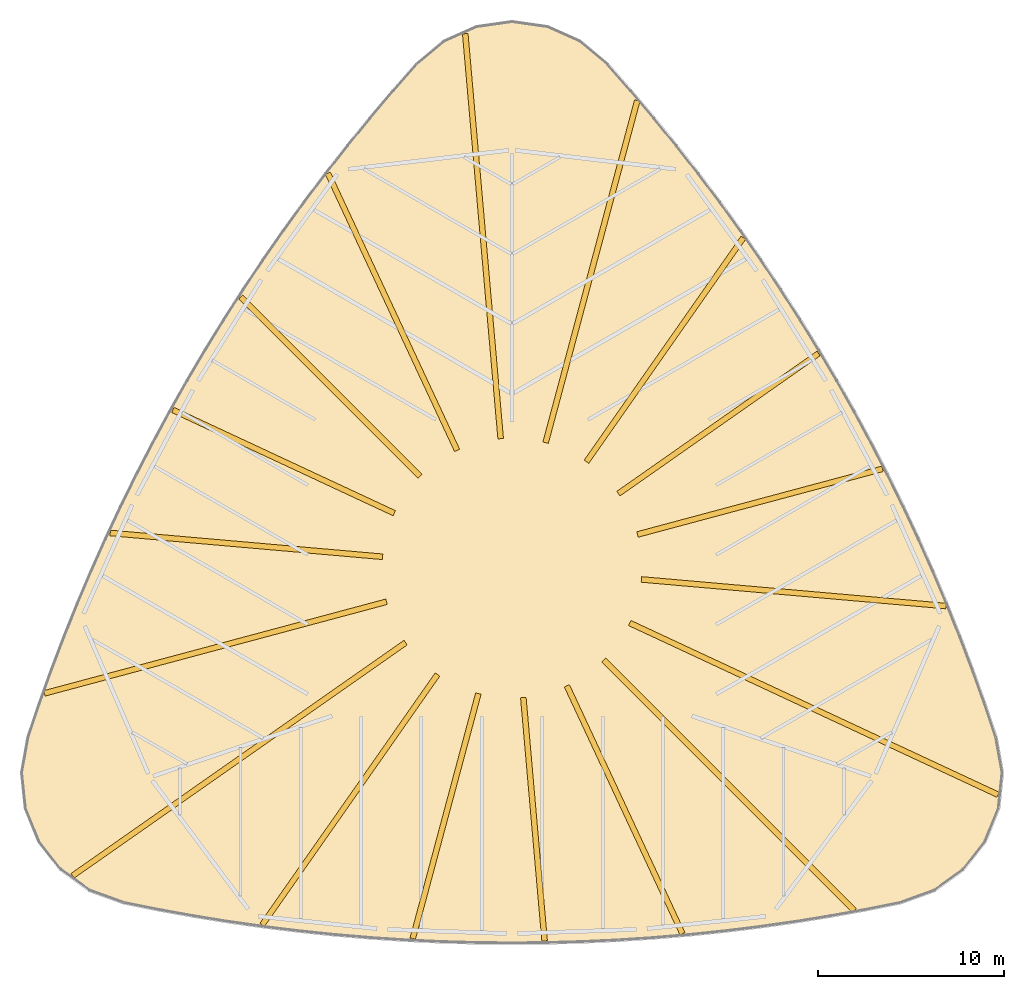
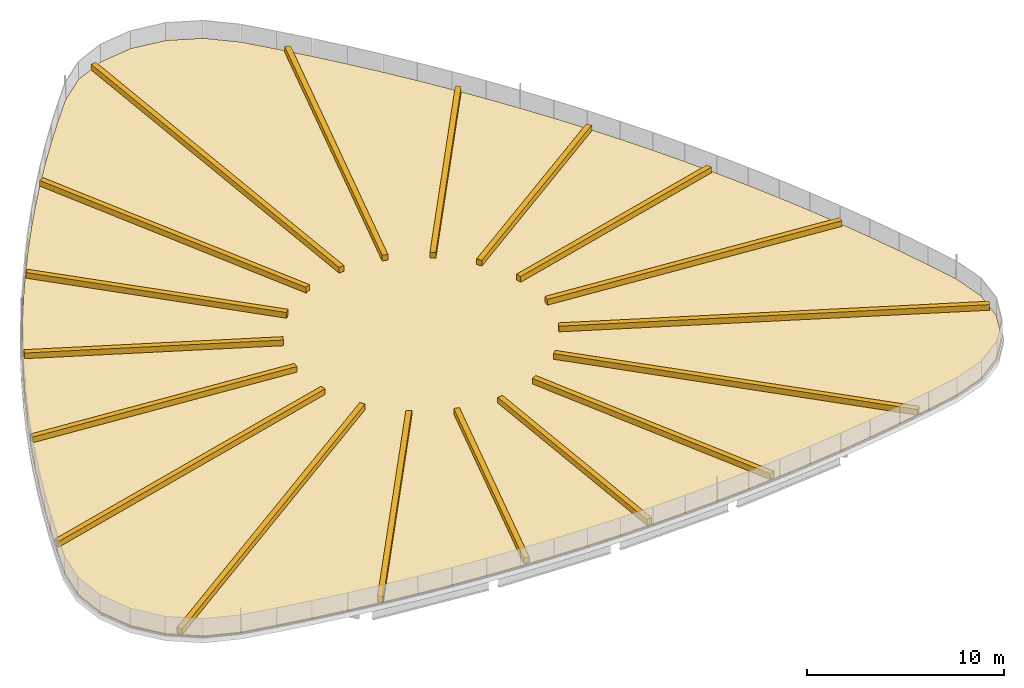
# One storey, part 9 of 9: 19 coverings.
"""IFC4 building model written with IfcOpenShell, lengths in metres."""

import ifcopenshell
import ifcopenshell.guid

model = None  # the IFC model being written
_history = None  # IfcOwnerHistory: only IFC2X3 demands one
_inside = {}  # id of a spatial element -> (the spatial element, [elements in it])
_under = {}  # id of a project, library or spatial element -> (it, [spatial elements below it])
_declared = {}  # id of a project -> (the project, [libraries it declares])
_typed = {}  # id of a type object -> (the type object, [elements of that type])
_made_of = {}  # id of a material, layer set ... -> (it, [elements and type objects made of it])


def new_model(schema):
    """Start an empty IFC model of exactly this schema.

    Asked for "IFC4X3", IfcOpenShell would pick the latest addendum, in which some entities
    have other attributes; the version numbers below select the first issue.
    IFC2X3 requires an IfcOwnerHistory on every rooted entity: one is made here for all.
    """
    global model, _history
    if schema == "IFC4X3":
        model = ifcopenshell.file(schema_version=(4, 3, 0, 0))
    else:
        model = ifcopenshell.file(schema=schema)
    _inside.clear()
    _under.clear()
    _declared.clear()
    _typed.clear()
    _made_of.clear()
    _history = None
    if model.schema == "IFC2X3":
        org = make("IfcOrganization", Name="unknown")
        user = make(
            "IfcPersonAndOrganization",
            ThePerson=make("IfcPerson", FamilyName="unknown"),
            TheOrganization=org,
        )
        app = make(
            "IfcApplication",
            ApplicationDeveloper=org,
            Version="unknown",
            ApplicationFullName="unknown",
            ApplicationIdentifier="unknown",
        )
        _history = make(
            "IfcOwnerHistory",
            OwningUser=user,
            OwningApplication=app,
            ChangeAction="ADDED",
            CreationDate=0,
        )
    return model


def make(cls, **values):
    """One entity of the class cls with the attributes given. An attribute that is None is left unset."""
    return model.create_entity(
        cls, **{name: value for name, value in values.items() if value is not None}
    )


def rooted(cls, **values):
    """An entity with a GlobalId (a new one), such as an element, a storey or a relation."""
    return make(cls, GlobalId=ifcopenshell.guid.new(), OwnerHistory=_history, **values)


def si_unit(unit_type, name, prefix=None):
    """IfcSIUnit, for example si_unit("LENGTHUNIT", "METRE", prefix="MILLI")."""
    return make("IfcSIUnit", UnitType=unit_type, Prefix=prefix, Name=name)


def assignment(units):
    """IfcUnitAssignment: the units of a project."""
    return None if units is None else make("IfcUnitAssignment", Units=units)


def point(xyz):
    """IfcCartesianPoint."""
    return None if xyz is None else make("IfcCartesianPoint", Coordinates=xyz)


def direction(xyz):
    """IfcDirection."""
    return None if xyz is None else make("IfcDirection", DirectionRatios=xyz)


def frame(location, z_axis=None, x_axis=None):
    """IfcAxis2Placement3D, a coordinate frame: its origin and axes. An axis left out is left unset."""
    return make(
        "IfcAxis2Placement3D",
        Location=point(location),
        Axis=direction(z_axis),
        RefDirection=direction(x_axis),
    )


def frame_2d(location, x_axis=None):
    """IfcAxis2Placement2D, a coordinate frame in the plane: its origin and x axis."""
    return make(
        "IfcAxis2Placement2D", Location=point(location), RefDirection=direction(x_axis)
    )


def origin():
    """The frame at (0, 0, 0) with its axes left unset."""
    return frame((0.0, 0.0, 0.0))


def origin_2d():
    """The frame at (0, 0) in the plane with its x axis left unset."""
    return frame_2d((0.0, 0.0))


def place(relative_to, where):
    """IfcLocalPlacement: puts the frame where relative to a parent placement (None: the world)."""
    return make(
        "IfcLocalPlacement", PlacementRelTo=relative_to, RelativePlacement=where
    )


def context(
    kind, dimensions, precision=None, world=None, true_north=None, identifier=None
):
    """IfcGeometricRepresentationContext, for example the 3D "Model" context."""
    return make(
        "IfcGeometricRepresentationContext",
        ContextIdentifier=identifier,
        ContextType=kind,
        CoordinateSpaceDimension=dimensions,
        Precision=precision,
        WorldCoordinateSystem=world,
        TrueNorth=true_north,
    )


def subcontext(parent, identifier, kind, view, scale=None):
    """IfcGeometricRepresentationSubContext, for example "Body" below "Model"."""
    return make(
        "IfcGeometricRepresentationSubContext",
        ContextIdentifier=identifier,
        ContextType=kind,
        ParentContext=parent,
        TargetScale=scale,
        TargetView=view,
    )


def project(units=None, contexts=None):
    """IfcProject with its units and contexts."""
    return rooted(
        "IfcProject",
        Name="project",
        RepresentationContexts=contexts,
        UnitsInContext=assignment(units),
    )


def spatial(cls, under=None, at=None, **own):
    """A site, building, storey or space (cls), placed at a placement, below another one or the project."""
    s = rooted(cls, ObjectPlacement=at, **own)
    if under is not None:
        _under.setdefault(under.id(), (under, []))[1].append(s)
    return s


def polyline(points):
    """IfcPolyline through the points."""
    return make("IfcPolyline", Points=[point(p) for p in points])


def profile(cls, at=None, kind="AREA", **sizes):
    """A parametric profile (cls). Its sizes go by their IFC names, for example OverallWidth=200.0."""
    return make(cls, ProfileType=kind, Position=at, **sizes)


def rectangle(**sizes):
    """IfcRectangleProfileDef."""
    return profile("IfcRectangleProfileDef", **sizes)


def outline(outer, holes=None, kind="AREA"):
    """IfcArbitraryClosedProfileDef: a profile drawn as a closed curve; with holes, ...WithVoids."""
    if holes is None:
        return make("IfcArbitraryClosedProfileDef", ProfileType=kind, OuterCurve=outer)
    return make(
        "IfcArbitraryProfileDefWithVoids",
        ProfileType=kind,
        OuterCurve=outer,
        InnerCurves=holes,
    )


def extrude(swept, where, along, depth):
    """IfcExtrudedAreaSolid: the profile swept, set in the frame where, extruded along a direction by depth."""
    return make(
        "IfcExtrudedAreaSolid",
        SweptArea=swept,
        Position=where,
        ExtrudedDirection=direction(along),
        Depth=depth,
    )


def shape(context_of_items, identifier, shape_type, items):
    """IfcShapeRepresentation: the items that make up one representation, for example the "Body"."""
    return make(
        "IfcShapeRepresentation",
        ContextOfItems=context_of_items,
        RepresentationIdentifier=identifier,
        RepresentationType=shape_type,
        Items=items,
    )


def material(Name=None, Category=None):
    """IfcMaterial."""
    return make("IfcMaterial", Name=Name, Category=Category)


def layer(
    of_material, thickness, ventilated=None, Name=None, Category=None, Priority=None
):
    """IfcMaterialLayer: one layer of a wall or slab, of a material (None: an air gap)."""
    return make(
        "IfcMaterialLayer",
        Material=of_material,
        LayerThickness=thickness,
        IsVentilated=ventilated,
        Name=Name,
        Category=Category,
        Priority=Priority,
    )


def layer_set(layers, Name=None):
    """IfcMaterialLayerSet."""
    return make("IfcMaterialLayerSet", MaterialLayers=layers, LayerSetName=Name)


def made_of(thing, what):
    """Note that an element or type object is made of a material, layer set ...; save() writes the relation."""
    if what is not None:
        _made_of.setdefault(what.id(), (what, []))[1].append(thing)
    return thing


def type_object(cls, material=None, **own):
    """A type object (cls), such as IfcWallType, which elements share."""
    return made_of(rooted(cls, **own), material)


def element(
    cls,
    number,
    at=None,
    inside=None,
    cuts=None,
    type_object=None,
    material=None,
    context=None,
    identifier="Body",
    shape_type=None,
    held_by="IfcProductDefinitionShape",
    body=None,
    shapes=None,
    **own,
):
    """One element of the class cls, such as IfcWall. Its Tag is "e" and its number.

    at: its placement. inside: the storey or other place that contains it. cuts: it is an
    opening in that element (IfcRelVoidsElement). A single representation is given by context,
    identifier, shape_type and body (its items); several are given by shapes. held_by: the class
    of the entity that holds the representations. save() writes the other relations.
    """
    e = rooted(cls, Tag="e%d" % number, ObjectPlacement=at, **own)
    if body is not None:
        shapes = [shape(context, identifier, shape_type, body)]
    if shapes is not None:
        e.Representation = make(held_by, Representations=shapes)
    if inside is not None:
        _inside.setdefault(inside.id(), (inside, []))[1].append(e)
    if cuts is not None:
        rooted(
            "IfcRelVoidsElement", RelatingBuildingElement=cuts, RelatedOpeningElement=e
        )
    if type_object is not None:
        _typed.setdefault(type_object.id(), (type_object, []))[1].append(e)
    return made_of(e, material)


def aggregate(whole, parts):
    """IfcRelAggregates: a whole, such as a stair, and the parts it consists of."""
    return rooted("IfcRelAggregates", RelatingObject=whole, RelatedObjects=parts)


def save(model, path):
    """Write the relations noted so far, then the file.

    IfcRelAggregates (storeys below a building ...), IfcRelContainedInSpatialStructure (elements
    in a storey), IfcRelDefinesByType, IfcRelAssociatesMaterial and IfcRelDeclares: one each for
    every whole, place, type object, material and project.
    """
    for whole, parts in _under.values():
        aggregate(whole, parts)
    for where, things in _inside.values():
        rooted(
            "IfcRelContainedInSpatialStructure",
            RelatedElements=things,
            RelatingStructure=where,
        )
    for kind, things in _typed.values():
        rooted("IfcRelDefinesByType", RelatedObjects=things, RelatingType=kind)
    for what, things in _made_of.values():
        rooted("IfcRelAssociatesMaterial", RelatedObjects=things, RelatingMaterial=what)
    for by, libraries in _declared.values():
        rooted("IfcRelDeclares", RelatingContext=by, RelatedDefinitions=libraries)
    model.write(path)


model = new_model("IFC4")

# Units and contexts
model_context = context("Model", 3, precision=1e-05, world=origin(), true_north=direction((0.0, 1.0)))
body_context = subcontext(model_context, "Body", "Model", "MODEL_VIEW")
ifc_project = project(units=[si_unit("LENGTHUNIT", "METRE"), si_unit("AREAUNIT", "SQUARE_METRE"), si_unit("VOLUMEUNIT", "CUBIC_METRE"), si_unit("PLANEANGLEUNIT", "RADIAN"), si_unit("MASSUNIT", "GRAM", prefix="KILO")], contexts=[model_context])

# Site, building, storey
site_placement = place(None, origin())
site = spatial("IfcSite", under=ifc_project, at=site_placement, CompositionType="ELEMENT")
building_placement = place(site_placement, origin())
building = spatial("IfcBuilding", under=site, at=building_placement, Name="Sierra Prisma Convention Tower", CompositionType="ELEMENT")
storey_placement = place(building_placement, frame((0.0, 0.0, 361.0)))
storey = spatial("IfcBuildingStorey", under=building, at=storey_placement, Name="Roof", CompositionType="ELEMENT", Elevation=361.0)

# Coverings
ifc_material_1 = material(Name="Aluminium composite bronze anodised", Category="aluminium")
ifc_layer_1 = layer(ifc_material_1, 0.300048828125)
ifc_layer_set_1 = layer_set([ifc_layer_1], Name="Canopy rib cladding")
covering_type_1 = type_object("IfcCoveringType", Name="Canopy rib cladding", PredefinedType="CLADDING", material=ifc_layer_set_1)
covering_1_placement = place(storey_placement, frame((13.361083984375, 3.580078125, 0.349853515625), z_axis=(0.0, 0.0, 1.0), x_axis=(0.965925826289, 0.258819045103, 0.0)))
element("IfcCovering", 1, at=covering_1_placement, inside=storey, type_object=covering_type_1, Name="Canopy rib 1", PredefinedType="CLADDING", context=body_context, shape_type="SweptSolid", body=[
    extrude(rectangle(XDim=13.66455078125, YDim=0.300048828125, at=origin_2d()), origin(), (0.0, 0.0, 1.0), 0.35009765625),
])
covering_2_placement = place(storey_placement, frame((11.124267578125, 7.789306640625, 0.349853515625), z_axis=(0.0, 0.0, 1.0), x_axis=(0.819152044289, 0.573576436351, 0.0)))
element("IfcCovering", 2, at=covering_2_placement, inside=storey, type_object=covering_type_1, Name="Canopy rib 2", PredefinedType="CLADDING", context=body_context, shape_type="SweptSolid", body=[
    extrude(rectangle(XDim=13.16064453125, YDim=0.300048828125, at=origin_2d()), origin(), (0.0, 0.0, 1.0), 0.35009765625),
])
covering_3_placement = place(storey_placement, frame((8.239013671875, 11.7666015625, 0.349853515625), z_axis=(0.0, 0.0, 1.0), x_axis=(0.573576436351, 0.819152044289, 0.0)))
element("IfcCovering", 3, at=covering_3_placement, inside=storey, type_object=covering_type_1, Name="Canopy rib 3", PredefinedType="CLADDING", context=body_context, shape_type="SweptSolid", body=[
    extrude(rectangle(XDim=14.728759765625, YDim=0.300048828125, at=origin_2d()), origin(), (0.0, 0.0, 1.0), 0.35009765625),
])
covering_4_placement = place(storey_placement, frame((4.281005859375, 15.9765625, 0.349853515625), z_axis=(0.0, 0.0, 1.0), x_axis=(0.258819045103, 0.965925826289, 0.0)))
element("IfcCovering", 4, at=covering_4_placement, inside=storey, type_object=covering_type_1, Name="Canopy rib 4", PredefinedType="CLADDING", context=body_context, shape_type="SweptSolid", body=[
    extrude(rectangle(XDim=19.08056640625, YDim=0.300048828125, at=origin_2d()), origin(), (0.0, 0.0, 1.0), 0.35009765625),
])
covering_5_placement = place(storey_placement, frame((-1.564453125, 17.882568359375, 0.349853515625), z_axis=(0.0, 0.0, 1.0), x_axis=(-0.087155742748, 0.996194698092, 0.0)))
element("IfcCovering", 5, at=covering_5_placement, inside=storey, type_object=covering_type_1, Name="Canopy rib 5", PredefinedType="CLADDING", context=body_context, shape_type="SweptSolid", body=[
    extrude(rectangle(XDim=21.90185546875, YDim=0.300048828125, at=origin_2d()), origin(), (0.0, 0.0, 1.0), 0.35009765625),
])
covering_6_placement = place(storey_placement, frame((-6.438232421875, 13.806640625, 0.349853515625), z_axis=(0.0, 0.0, 1.0), x_axis=(-0.422618261741, 0.906307787037, 0.0)))
element("IfcCovering", 6, at=covering_6_placement, inside=storey, type_object=covering_type_1, Name="Canopy rib 6", PredefinedType="CLADDING", context=body_context, shape_type="SweptSolid", body=[
    extrude(rectangle(XDim=16.468017578125, YDim=0.300048828125, at=origin_2d()), origin(), (0.0, 0.0, 1.0), 0.35009765625),
])
covering_7_placement = place(storey_placement, frame((-9.781005859375, 9.781005859375, 0.349853515625), z_axis=(0.0, 0.0, 1.0), x_axis=(-0.707106781187, 0.707106781187, 0.0)))
element("IfcCovering", 7, at=covering_7_placement, inside=storey, type_object=covering_type_1, Name="Canopy rib 7", PredefinedType="CLADDING", context=body_context, shape_type="SweptSolid", body=[
    extrude(rectangle(XDim=13.66455078125, YDim=0.300048828125, at=origin_2d()), origin(), (0.0, 0.0, 1.0), 0.35009765625),
])
covering_8_placement = place(storey_placement, frame((-12.30810546875, 5.7392578125, 0.349853515625), z_axis=(0.0, 0.0, 1.0), x_axis=(-0.906307787037, 0.422618261741, 0.0)))
element("IfcCovering", 8, at=covering_8_placement, inside=storey, type_object=covering_type_1, Name="Canopy rib 8", PredefinedType="CLADDING", context=body_context, shape_type="SweptSolid", body=[
    extrude(rectangle(XDim=13.16064453125, YDim=0.300048828125, at=origin_2d()), origin(), (0.0, 0.0, 1.0), 0.35009765625),
])
covering_9_placement = place(storey_placement, frame((-14.3095703125, 1.251953125, 0.349853515625), z_axis=(0.0, 0.0, 1.0), x_axis=(-0.996194698092, 0.087155742748, 0.0)))
element("IfcCovering", 9, at=covering_9_placement, inside=storey, type_object=covering_type_1, Name="Canopy rib 9", PredefinedType="CLADDING", context=body_context, shape_type="SweptSolid", body=[
    extrude(rectangle(XDim=14.728759765625, YDim=0.300048828125, at=origin_2d()), origin(), (0.0, 0.0, 1.0), 0.35009765625),
])
covering_10_placement = place(storey_placement, frame((-15.9765625, -4.281005859375, 0.349853515625), z_axis=(0.0, 0.0, 1.0), x_axis=(-0.965925826289, -0.258819045103, 0.0)))
element("IfcCovering", 10, at=covering_10_placement, inside=storey, type_object=covering_type_1, Name="Canopy rib 10", PredefinedType="CLADDING", context=body_context, shape_type="SweptSolid", body=[
    extrude(rectangle(XDim=19.08056640625, YDim=0.300048828125, at=origin_2d()), origin(), (0.0, 0.0, 1.0), 0.35009765625),
])
covering_11_placement = place(storey_placement, frame((-14.70458984375, -10.296142578125, 0.349853515625), z_axis=(0.0, 0.0, 1.0), x_axis=(-0.819152044289, -0.573576436351, 0.0)))
element("IfcCovering", 11, at=covering_11_placement, inside=storey, type_object=covering_type_1, Name="Canopy rib 11", PredefinedType="CLADDING", context=body_context, shape_type="SweptSolid", body=[
    extrude(rectangle(XDim=21.90185546875, YDim=0.300048828125, at=origin_2d()), origin(), (0.0, 0.0, 1.0), 0.35009765625),
])
covering_12_placement = place(storey_placement, frame((-8.73779296875, -12.47900390625, 0.349853515625), z_axis=(0.0, 0.0, 1.0), x_axis=(-0.573576436351, -0.819152044289, 0.0)))
element("IfcCovering", 12, at=covering_12_placement, inside=storey, type_object=covering_type_1, Name="Canopy rib 12", PredefinedType="CLADDING", context=body_context, shape_type="SweptSolid", body=[
    extrude(rectangle(XDim=16.468017578125, YDim=0.300048828125, at=origin_2d()), origin(), (0.0, 0.0, 1.0), 0.35009765625),
])
covering_13_placement = place(storey_placement, frame((-3.580078125, -13.361083984375, 0.349853515625), z_axis=(0.0, 0.0, 1.0), x_axis=(-0.258819045103, -0.965925826289, 0.0)))
element("IfcCovering", 13, at=covering_13_placement, inside=storey, type_object=covering_type_1, Name="Canopy rib 13", PredefinedType="CLADDING", context=body_context, shape_type="SweptSolid", body=[
    extrude(rectangle(XDim=13.66455078125, YDim=0.300048828125, at=origin_2d()), origin(), (0.0, 0.0, 1.0), 0.35009765625),
])
covering_14_placement = place(storey_placement, frame((1.18359375, -13.528564453125, 0.349853515625), z_axis=(0.0, 0.0, 1.0), x_axis=(0.087155742748, -0.996194698092, 0.0)))
element("IfcCovering", 14, at=covering_14_placement, inside=storey, type_object=covering_type_1, Name="Canopy rib 14", PredefinedType="CLADDING", context=body_context, shape_type="SweptSolid", body=[
    extrude(rectangle(XDim=13.16064453125, YDim=0.300048828125, at=origin_2d()), origin(), (0.0, 0.0, 1.0), 0.35009765625),
])
covering_15_placement = place(storey_placement, frame((6.070556640625, -13.0185546875, 0.349853515625), z_axis=(0.0, 0.0, 1.0), x_axis=(0.422618261741, -0.906307787037, 0.0)))
element("IfcCovering", 15, at=covering_15_placement, inside=storey, type_object=covering_type_1, Name="Canopy rib 15", PredefinedType="CLADDING", context=body_context, shape_type="SweptSolid", body=[
    extrude(rectangle(XDim=14.728759765625, YDim=0.300048828125, at=origin_2d()), origin(), (0.0, 0.0, 1.0), 0.35009765625),
])
covering_16_placement = place(storey_placement, frame((11.69580078125, -11.69580078125, 0.349853515625), z_axis=(0.0, 0.0, 1.0), x_axis=(0.707106781187, -0.707106781187, 0.0)))
element("IfcCovering", 16, at=covering_16_placement, inside=storey, type_object=covering_type_1, Name="Canopy rib 16", PredefinedType="CLADDING", context=body_context, shape_type="SweptSolid", body=[
    extrude(rectangle(XDim=19.08056640625, YDim=0.300048828125, at=origin_2d()), origin(), (0.0, 0.0, 1.0), 0.35009765625),
])
covering_17_placement = place(storey_placement, frame((16.26904296875, -7.58642578125, 0.349853515625), z_axis=(0.0, 0.0, 1.0), x_axis=(0.906307787037, -0.422618261741, 0.0)))
element("IfcCovering", 17, at=covering_17_placement, inside=storey, type_object=covering_type_1, Name="Canopy rib 17", PredefinedType="CLADDING", context=body_context, shape_type="SweptSolid", body=[
    extrude(rectangle(XDim=21.90185546875, YDim=0.300048828125, at=origin_2d()), origin(), (0.0, 0.0, 1.0), 0.35009765625),
])
covering_18_placement = place(storey_placement, frame((15.176025390625, -1.32763671875, 0.349853515625), z_axis=(0.0, 0.0, 1.0), x_axis=(0.996194698092, -0.087155742748, 0.0)))
element("IfcCovering", 18, at=covering_18_placement, inside=storey, type_object=covering_type_1, Name="Canopy rib 18", PredefinedType="CLADDING", context=body_context, shape_type="SweptSolid", body=[
    extrude(rectangle(XDim=16.468017578125, YDim=0.300048828125, at=origin_2d()), origin(), (0.0, 0.0, 1.0), 0.35009765625),
])
ifc_material_2 = material(Name="Bituminous membrane")
ifc_layer_2 = layer(ifc_material_2, 0.050048828125)
ifc_layer_set_2 = layer_set([ifc_layer_2], Name="Roof membrane")
covering_type_2 = type_object("IfcCoveringType", Name="Roof membrane", PredefinedType="ROOFING", material=ifc_layer_set_2)
covering_19_placement = place(storey_placement, frame((0.0, 0.0, 0.300048828125)))
element("IfcCovering", 19, at=covering_19_placement, inside=storey, type_object=covering_type_2, Name="Canopy roof membrane", PredefinedType="ROOFING", context=body_context, shape_type="SweptSolid", body=[
    extrude(outline(polyline([(-20.9248046875, -18.0), (-22.736083984375, -17.34375), (-24.289306640625, -16.21728515625), (-25.470947265625, -14.70556640625), (-26.189208984375, -12.926513671875), (-26.38818359375, -11.01806640625), (-26.05078125, -9.121337890625), (-25.440673828125, -7.312744140625), (-24.793701171875, -5.508544921875), (-24.113037109375, -3.716796875), (-23.398681640625, -1.938232421875), (-22.650634765625, -0.173583984375), (-21.86962890625, 1.57666015625), (-21.055419921875, 3.31201171875), (-20.208984375, 5.031494140625), (-19.329833984375, 6.73486328125), (-18.4189453125, 8.421142578125), (-17.476318359375, 10.090087890625), (-16.50244140625, 11.74072265625), (-15.49755859375, 13.372802734375), (-14.4619140625, 14.985595703125), (-13.39599609375, 16.57861328125), (-12.30029296875, 18.151123046875), (-11.175048828125, 19.702880859375), (-10.020751953125, 21.23291015625), (-8.837646484375, 22.740966796875), (-7.62646484375, 24.226318359375), (-6.387451171875, 25.6884765625), (-5.1259765625, 27.121337890625), (-3.652099609375, 28.36181640625), (-1.89990234375, 29.143798828125), (0.0, 29.411376953125), (1.89990234375, 29.143798828125), (3.652099609375, 28.36181640625), (5.1259765625, 27.121337890625), (6.387451171875, 25.6884765625), (7.62646484375, 24.226318359375), (8.837646484375, 22.740966796875), (10.020751953125, 21.23291015625), (11.175048828125, 19.702880859375), (12.30029296875, 18.151123046875), (13.39599609375, 16.57861328125), (14.4619140625, 14.985595703125), (15.49755859375, 13.372802734375), (16.50244140625, 11.74072265625), (17.476318359375, 10.090087890625), (18.4189453125, 8.421142578125), (19.329833984375, 6.73486328125), (20.208984375, 5.031494140625), (21.055419921875, 3.31201171875), (21.86962890625, 1.57666015625), (22.650634765625, -0.173583984375), (23.398681640625, -1.938232421875), (24.113037109375, -3.716796875), (24.793701171875, -5.508544921875), (25.440673828125, -7.312744140625), (26.05078125, -9.121337890625), (26.38818359375, -11.01806640625), (26.189208984375, -12.926513671875), (25.470947265625, -14.70556640625), (24.289306640625, -16.21728515625), (22.736083984375, -17.34375), (20.9248046875, -18.0), (19.05322265625, -18.3759765625), (17.16748046875, -18.7177734375), (15.275390625, -19.024169921875), (13.3779296875, -19.294677734375), (11.4755859375, -19.529296875), (9.5693359375, -19.72802734375), (7.659423828125, -19.890625), (5.7470703125, -20.01708984375), (3.83251953125, -20.107666015625), (1.91650390625, -20.161865234375), (0.0, -20.179931640625), (-1.91650390625, -20.161865234375), (-3.83251953125, -20.107666015625), (-5.7470703125, -20.01708984375), (-7.659423828125, -19.890625), (-9.5693359375, -19.72802734375), (-11.4755859375, -19.529296875), (-13.3779296875, -19.294677734375), (-15.275390625, -19.024169921875), (-17.16748046875, -18.7177734375), (-19.05322265625, -18.3759765625), (-20.9248046875, -18.0)])), origin(), (0.0, 0.0, 1.0), 0.050048828125),
])

save(model, "model.ifc")
